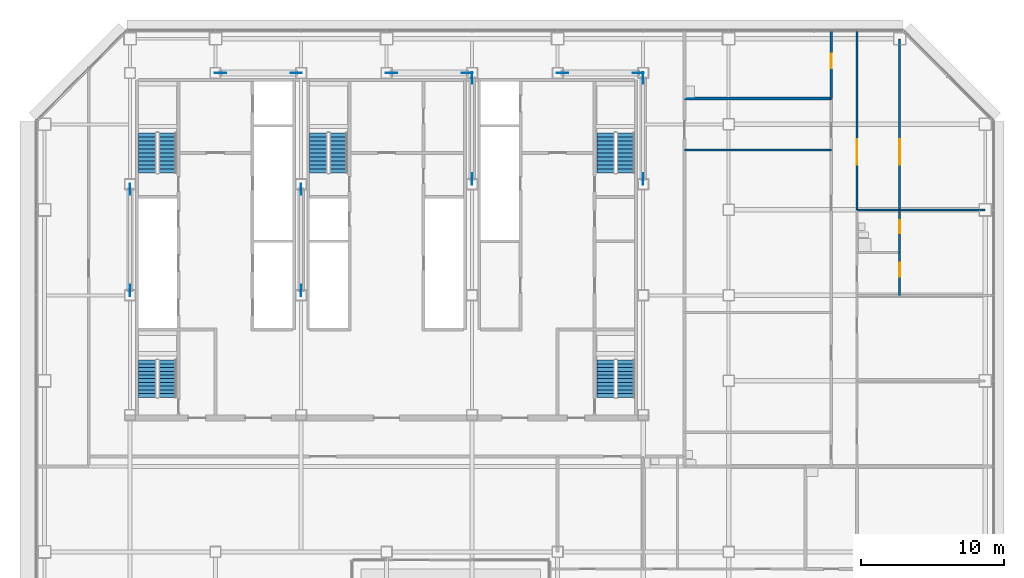
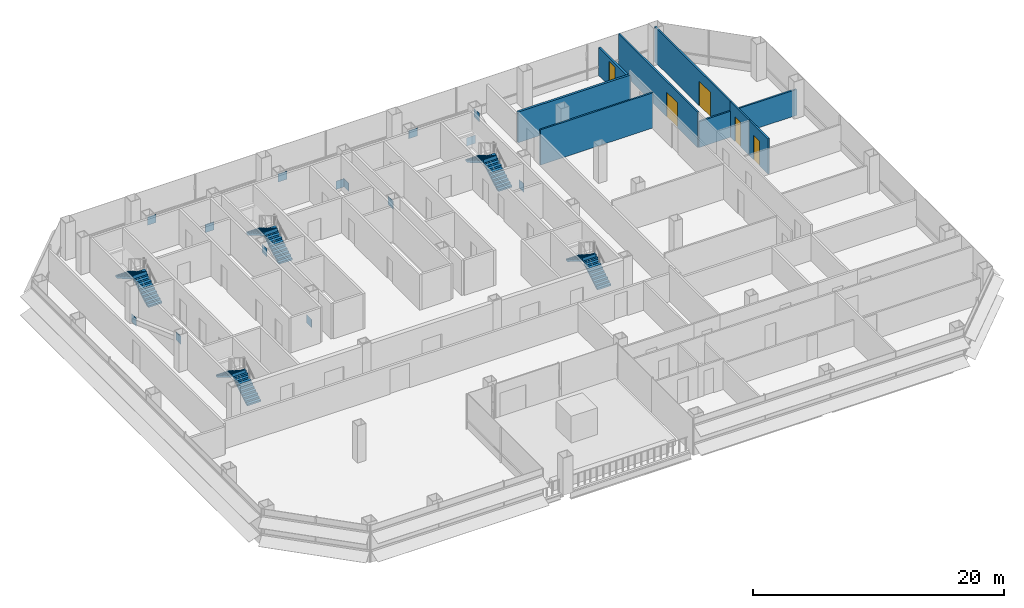
# One storey, part 23 of 27: 14 discrete accessories, 10 stair flights, 9 walls, 5 doors, 5 openings, 5 elements without a shape of their own.
"""IFC4 building model written with IfcOpenShell, lengths in metres."""

from ifc_helpers import new_model, si_unit, direction, frame, frame_2d, origin, origin_2d, place, context, subcontext, project, spatial, polyline, rectangle, outline, extrude, material, layer, layer_set, type_object, element, fill, aggregate, save


model = new_model("IFC4")

# Units and contexts
model_context = context("Model", 3, precision=1e-05, world=origin(), true_north=direction((0.0, 1.0)))
body_context = subcontext(model_context, "Body", "Model", "MODEL_VIEW")
ifc_project = project(units=[si_unit("LENGTHUNIT", "METRE"), si_unit("AREAUNIT", "SQUARE_METRE"), si_unit("VOLUMEUNIT", "CUBIC_METRE"), si_unit("PLANEANGLEUNIT", "RADIAN"), si_unit("MASSUNIT", "GRAM", prefix="KILO")], contexts=[model_context])

# Site, building, storey
site_placement = place(None, origin())
site = spatial("IfcSite", under=ifc_project, at=site_placement, CompositionType="ELEMENT")
building_placement = place(site_placement, origin())
building = spatial("IfcBuilding", under=site, at=building_placement, Name="Sorahane Residences", CompositionType="ELEMENT")
storey_placement = place(building_placement, frame((0.0, 0.0, 82.199951171875)))
storey = spatial("IfcBuildingStorey", under=building, at=storey_placement, Name="L17", CompositionType="ELEMENT", Elevation=82.199951171875)

# Wall, opening, door
ifc_material_1 = material(Name="Concrete blockwork C20 wall", Category="masonry")
ifc_layer_1 = layer(ifc_material_1, 0.199951171875)
ifc_layer_set_1 = layer_set([ifc_layer_1], Name="Kitchen wall 200 EI 180")
wall_type_1 = type_object("IfcWallType", Name="Kitchen wall 200 EI 180", PredefinedType="SOLIDWALL", material=ifc_layer_set_1)
wall_1_placement = place(storey_placement, frame((55.199951171875, 43.800048828125, 0.0), z_axis=(0.0, 0.0, 1.0), x_axis=(0.0, 1.0, 0.0)))
wall_1 = element("IfcWall", 1, at=wall_1_placement, inside=storey, type_object=wall_type_1, Name="L17 kitchen wall", PredefinedType="SOLIDWALL", context=body_context, shape_type="SweptSolid", body=[
    extrude(rectangle(XDim=4.800048828125, YDim=0.199951171875, at=frame_2d((2.39990234375, 0.0))), origin(), (0.0, 0.0, 1.0), 2.719970703125),
])
opening_1_placement = place(wall_1_placement, frame((2.139892578125, 0.0, 0.0)))
opening_1 = element("IfcOpeningElement", 2, at=opening_1_placement, cuts=wall_1, Name="Opening L17-17", PredefinedType="OPENING", context=body_context, shape_type="SweptSolid", body=[
    extrude(rectangle(XDim=1.0, YDim=2.39990234375, at=frame_2d((0.5, 1.199951171875))), frame((0.0, 0.10986328125, 0.0), z_axis=(0.0, -1.0, 0.0), x_axis=(1.0, 0.0, 0.0)), (0.0, 0.0, 1.0), 0.219970703125),
])
ifc_material_2 = material(Name="Steel", Category="steel")
door_type_1 = type_object("IfcDoorType", Name="Kitchen door 1000x2400 FD120", OperationType="NOTDEFINED", PredefinedType="DOOR", material=ifc_material_2)
door_1_placement = place(opening_1_placement, origin())
door_1 = element("IfcDoor", 3, at=door_1_placement, inside=storey, type_object=door_type_1, Name="Kitchen door L17-17", OperationType="SINGLE_SWING_LEFT", OverallHeight=2.39990234375, OverallWidth=1.0, PredefinedType="DOOR", context=body_context, shape_type="SweptSolid", body=[
    extrude(rectangle(XDim=1.0, YDim=2.39990234375, at=frame_2d((0.5, 1.199951171875))), frame((0.0, 0.02490234375, 0.0), z_axis=(0.0, -1.0, 0.0), x_axis=(1.0, 0.0, 0.0)), (0.0, 0.0, 1.0), 0.050048828125),
])
fill(opening_1, door_1)

# Wall
wall_2_placement = place(storey_placement, frame((44.89990234375, 43.800048828125, 0.0), z_axis=(0.0, 0.0, 1.0), x_axis=(1.0, 0.0, 0.0)))
element("IfcWall", 4, at=wall_2_placement, inside=storey, type_object=wall_type_1, Name="L17 kitchen wall", PredefinedType="SOLIDWALL", context=body_context, shape_type="SweptSolid", body=[
    extrude(rectangle(XDim=10.300048828125, YDim=0.199951171875, at=frame_2d((5.14990234375, 0.0))), origin(), (0.0, 0.0, 1.0), 2.969970703125),
])

# Wall, opening, door
ifc_material_3 = material(Name="Gypsum board partition on steel studs", Category="steel")
ifc_layer_2 = layer(ifc_material_3, 0.14990234375)
ifc_layer_set_2 = layer_set([ifc_layer_2], Name="Partition 150 EI 90")
wall_type_2 = type_object("IfcWallType", Name="Partition 150 EI 90", PredefinedType="PARTITIONING", material=ifc_layer_set_2)
wall_3_placement = place(storey_placement, frame((57.0, 36.0, 0.0), z_axis=(0.0, 0.0, 1.0), x_axis=(0.0, 1.0, 0.0)))
wall_3 = element("IfcWall", 5, at=wall_3_placement, inside=storey, type_object=wall_type_2, Name="L17 partition", PredefinedType="PARTITIONING", context=body_context, shape_type="SweptSolid", body=[
    extrude(rectangle(XDim=12.60009765625, YDim=0.14990234375, at=frame_2d((6.300048828125, 0.0))), origin(), (0.0, 0.0, 1.0), 3.420166015625),
])
opening_2_placement = place(wall_3_placement, frame((3.159912109375, 0.0, 0.0)))
opening_2 = element("IfcOpeningElement", 6, at=opening_2_placement, cuts=wall_3, Name="Opening L17-21", PredefinedType="OPENING", context=body_context, shape_type="SweptSolid", body=[
    extrude(rectangle(XDim=1.800048828125, YDim=2.39990234375, at=frame_2d((0.89990234375, 1.199951171875))), frame((0.0, 0.0849609375, 0.0), z_axis=(0.0, -1.0, 0.0), x_axis=(1.0, 0.0, 0.0)), (0.0, 0.0, 1.0), 0.169921875),
])
ifc_material_4 = material(Name="Timber veneered fire door", Category="wood")
door_type_2 = type_object("IfcDoorType", Name="Double door 1800x2400 FD30", OperationType="NOTDEFINED", PredefinedType="DOOR", material=ifc_material_4)
door_2_placement = place(opening_2_placement, frame((1.800048828125, 0.0, 0.0), z_axis=(0.0, 0.0, 1.0), x_axis=(-1.0, 0.0, 0.0)))
door_2 = element("IfcDoor", 7, at=door_2_placement, inside=storey, type_object=door_type_2, Name="Double door L17-21", OperationType="SINGLE_SWING_RIGHT", OverallHeight=2.39990234375, OverallWidth=1.800048828125, PredefinedType="DOOR", context=body_context, shape_type="SweptSolid", body=[
    extrude(rectangle(XDim=1.800048828125, YDim=2.39990234375, at=frame_2d((0.89990234375, 1.199951171875))), frame((0.0, 0.02490234375, 0.0), z_axis=(0.0, -1.0, 0.0), x_axis=(1.0, 0.0, 0.0)), (0.0, 0.0, 1.0), 0.050048828125),
])
fill(opening_2, door_2)

wall_4_placement = place(storey_placement, frame((60.0, 30.0, 0.0), z_axis=(0.0, 0.0, 1.0), x_axis=(0.0, 1.0, 0.0)))
wall_4 = element("IfcWall", 8, at=wall_4_placement, inside=storey, type_object=wall_type_2, Name="L17 partition", PredefinedType="PARTITIONING", context=body_context, shape_type="SweptSolid", body=[
    extrude(rectangle(XDim=3.0, YDim=0.14990234375, at=frame_2d((1.5, 0.0))), origin(), (0.0, 0.0, 1.0), 3.420166015625),
])
opening_3_placement = place(wall_4_placement, frame((1.300048828125, 0.0, 0.0)))
opening_3 = element("IfcOpeningElement", 9, at=opening_3_placement, cuts=wall_4, Name="Opening L17-22", PredefinedType="OPENING", context=body_context, shape_type="SweptSolid", body=[
    extrude(rectangle(XDim=1.0, YDim=2.39990234375, at=frame_2d((0.5, 1.199951171875))), frame((0.0, 0.0849609375, 0.0), z_axis=(0.0, -1.0, 0.0), x_axis=(1.0, 0.0, 0.0)), (0.0, 0.0, 1.0), 0.169921875),
])
ifc_material_5 = material(Name="Timber veneered fire door", Category="wood")
door_type_3 = type_object("IfcDoorType", Name="Room door 1000x2400 FD30", OperationType="NOTDEFINED", PredefinedType="DOOR", material=ifc_material_5)
door_3_placement = place(opening_3_placement, frame((1.0, 0.0, 0.0), z_axis=(0.0, 0.0, 1.0), x_axis=(-1.0, 0.0, 0.0)))
door_3 = element("IfcDoor", 10, at=door_3_placement, inside=storey, type_object=door_type_3, Name="Room door L17-22", OperationType="SINGLE_SWING_LEFT", OverallHeight=2.39990234375, OverallWidth=1.0, PredefinedType="DOOR", context=body_context, shape_type="SweptSolid", body=[
    extrude(rectangle(XDim=1.0, YDim=2.39990234375, at=frame_2d((0.5, 1.199951171875))), frame((0.0, 0.02490234375, 0.0), z_axis=(0.0, -1.0, 0.0), x_axis=(1.0, 0.0, 0.0)), (0.0, 0.0, 1.0), 0.050048828125),
])
fill(opening_3, door_3)

wall_5_placement = place(storey_placement, frame((60.0, 36.0, 0.0), z_axis=(0.0, 0.0, 1.0), x_axis=(0.0, 1.0, 0.0)))
wall_5 = element("IfcWall", 11, at=wall_5_placement, inside=storey, type_object=wall_type_2, Name="L17 partition", PredefinedType="PARTITIONING", context=body_context, shape_type="SweptSolid", body=[
    extrude(rectangle(XDim=12.0, YDim=0.14990234375, at=frame_2d((6.0, 0.0))), origin(), (0.0, 0.0, 1.0), 3.420166015625),
])
opening_4_placement = place(wall_5_placement, frame((3.159912109375, 0.0, 0.0)))
opening_4 = element("IfcOpeningElement", 12, at=opening_4_placement, cuts=wall_5, Name="Opening L17-24", PredefinedType="OPENING", context=body_context, shape_type="SweptSolid", body=[
    extrude(rectangle(XDim=1.800048828125, YDim=2.39990234375, at=frame_2d((0.89990234375, 1.199951171875))), frame((0.0, 0.0849609375, 0.0), z_axis=(0.0, -1.0, 0.0), x_axis=(1.0, 0.0, 0.0)), (0.0, 0.0, 1.0), 0.169921875),
])
door_4_placement = place(opening_4_placement, frame((1.800048828125, 0.0, 0.0), z_axis=(0.0, 0.0, 1.0), x_axis=(-1.0, 0.0, 0.0)))
door_4 = element("IfcDoor", 13, at=door_4_placement, inside=storey, type_object=door_type_2, Name="Double door L17-24", OperationType="SINGLE_SWING_LEFT", OverallHeight=2.39990234375, OverallWidth=1.800048828125, PredefinedType="DOOR", context=body_context, shape_type="SweptSolid", body=[
    extrude(rectangle(XDim=1.800048828125, YDim=2.39990234375, at=frame_2d((0.89990234375, 1.199951171875))), frame((0.0, 0.02490234375, 0.0), z_axis=(0.0, -1.0, 0.0), x_axis=(1.0, 0.0, 0.0)), (0.0, 0.0, 1.0), 0.050048828125),
])
fill(opening_4, door_4)

# Walls
wall_6_placement = place(storey_placement, frame((60.0, 36.0, 0.0), z_axis=(0.0, 0.0, 1.0), x_axis=(1.0, 0.0, 0.0)))
element("IfcWall", 14, at=wall_6_placement, inside=storey, type_object=wall_type_2, Name="L17 partition", PredefinedType="PARTITIONING", context=body_context, shape_type="SweptSolid", body=[
    extrude(rectangle(XDim=6.0, YDim=0.14990234375, at=frame_2d((3.0, 0.0))), origin(), (0.0, 0.0, 1.0), 2.52001953125),
])
wall_7_placement = place(storey_placement, frame((44.89990234375, 40.199951171875, 0.0), z_axis=(0.0, 0.0, 1.0), x_axis=(1.0, 0.0, 0.0)))
element("IfcWall", 15, at=wall_7_placement, inside=storey, type_object=wall_type_2, Name="L17 partition", PredefinedType="PARTITIONING", context=body_context, shape_type="SweptSolid", body=[
    extrude(rectangle(XDim=10.300048828125, YDim=0.14990234375, at=frame_2d((5.14990234375, 0.0))), origin(), (0.0, 0.0, 1.0), 3.420166015625),
])

# Wall, opening, door
ifc_material_6 = material(Name="Gypsum board partition on steel studs", Category="steel")
ifc_layer_3 = layer(ifc_material_6, 0.14990234375)
ifc_layer_set_3 = layer_set([ifc_layer_3], Name="Wet wall 150 EI 90")
wall_type_3 = type_object("IfcWallType", Name="Wet wall 150 EI 90", PredefinedType="PARTITIONING", material=ifc_layer_set_3)
wall_8_placement = place(storey_placement, frame((60.0, 33.0, 0.0), z_axis=(0.0, 0.0, 1.0), x_axis=(0.0, 1.0, 0.0)))
wall_8 = element("IfcWall", 16, at=wall_8_placement, inside=storey, type_object=wall_type_3, Name="L17 wet wall", PredefinedType="PARTITIONING", context=body_context, shape_type="SweptSolid", body=[
    extrude(rectangle(XDim=3.0, YDim=0.14990234375, at=frame_2d((1.5, 0.0))), origin(), (0.0, 0.0, 1.0), 3.420166015625),
])
opening_5_placement = place(wall_8_placement, frame((1.3701171875, 0.0, 0.0)))
opening_5 = element("IfcOpeningElement", 17, at=opening_5_placement, cuts=wall_8, Name="Opening L17-23", PredefinedType="OPENING", context=body_context, shape_type="SweptSolid", body=[
    extrude(rectangle(XDim=0.89990234375, YDim=2.39990234375, at=frame_2d((0.449951171875, 1.199951171875))), frame((0.0, 0.0849609375, 0.0), z_axis=(0.0, -1.0, 0.0), x_axis=(1.0, 0.0, 0.0)), (0.0, 0.0, 1.0), 0.169921875),
])
ifc_material_7 = material(Name="Timber veneered fire door", Category="wood")
door_type_4 = type_object("IfcDoorType", Name="Bathroom door 900x2400 FD30", OperationType="NOTDEFINED", PredefinedType="DOOR", material=ifc_material_7)
door_5_placement = place(opening_5_placement, frame((0.89990234375, 0.0, 0.0), z_axis=(0.0, 0.0, 1.0), x_axis=(-1.0, 0.0, 0.0)))
door_5 = element("IfcDoor", 18, at=door_5_placement, inside=storey, type_object=door_type_4, Name="Bathroom door L17-23", OperationType="SINGLE_SWING_RIGHT", OverallHeight=2.39990234375, OverallWidth=0.89990234375, PredefinedType="DOOR", context=body_context, shape_type="SweptSolid", body=[
    extrude(rectangle(XDim=0.89990234375, YDim=2.39990234375, at=frame_2d((0.449951171875, 1.199951171875))), frame((0.0, 0.02490234375, 0.0), z_axis=(0.0, -1.0, 0.0), x_axis=(1.0, 0.0, 0.0)), (0.0, 0.0, 1.0), 0.050048828125),
])
fill(opening_5, door_5)

# Wall
wall_9_placement = place(storey_placement, frame((57.0, 36.0, 0.0), z_axis=(0.0, 0.0, 1.0), x_axis=(1.0, 0.0, 0.0)))
element("IfcWall", 19, at=wall_9_placement, inside=storey, type_object=wall_type_3, Name="L17 wet wall", PredefinedType="PARTITIONING", context=body_context, shape_type="SweptSolid", body=[
    extrude(rectangle(XDim=3.0, YDim=0.14990234375, at=frame_2d((1.5, 0.0))), origin(), (0.0, 0.0, 1.0), 2.52001953125),
])

# Stair, stair flights
ifc_material_8 = material(Name="Concrete C40", Category="concrete")
stair_type = type_object("IfcStairType", Name="Dog-leg stair 1250 Concrete C40", PredefinedType="HALF_TURN_STAIR", material=ifc_material_8)
stair_1_placement = place(storey_placement, origin())
stair_1 = element("IfcStair", 20, at=stair_1_placement, inside=storey, type_object=stair_type, Name="L17 Stair S1", PredefinedType="HALF_TURN_STAIR")
ifc_material_9 = material(Name="Concrete C40", Category="concrete")
stair_flight_type = type_object("IfcStairFlightType", Name="Stair flight 1250 Concrete C40", PredefinedType="STRAIGHT", material=ifc_material_9)
stair_flight_1_placement = place(storey_placement, frame((8.625, 38.60009765625, 0.0), z_axis=(0.0, 0.0, 1.0), x_axis=(0.0, 1.0, 0.0)))
stair_flight_1 = element("IfcStairFlight", 21, at=stair_flight_1_placement, type_object=stair_flight_type, Name="S1 flight 1", NumberOfRisers=11, NumberOfTreads=10, PredefinedType="STRAIGHT", RiserHeight=0.163636364, TreadLength=0.28, context=body_context, shape_type="SweptSolid", body=[
    extrude(outline(polyline([(-0.00146484375, 0.0), (-0.00146484375, 0.16357421875), (0.0, 0.16357421875), (0.280029296875, 0.16357421875), (0.280029296875, 0.327392578125), (0.56005859375, 0.327392578125), (0.56005859375, 0.490966796875), (0.840087890625, 0.490966796875), (0.840087890625, 0.654541015625), (1.1201171875, 0.654541015625), (1.1201171875, 0.818115234375), (1.39990234375, 0.818115234375), (1.39990234375, 0.98193359375), (1.679931640625, 0.98193359375), (1.679931640625, 1.1455078125), (1.9599609375, 1.1455078125), (1.9599609375, 1.30908203125), (2.239990234375, 1.30908203125), (2.239990234375, 1.47265625), (2.52001953125, 1.47265625), (2.52001953125, 1.636474609375), (2.800048828125, 1.636474609375), (2.800048828125, 1.800048828125), (2.800048828125, 1.462646484375), (2.59130859375, 1.3408203125), (2.3828125, 1.218994140625), (2.17431640625, 1.09716796875), (1.965576171875, 0.97509765625), (1.757080078125, 0.853271484375), (1.548583984375, 0.7314453125), (1.340087890625, 0.609375), (1.13134765625, 0.487548828125), (0.9228515625, 0.36572265625), (0.71435546875, 0.243896484375), (0.505615234375, 0.121826171875), (0.297119140625, 0.0), (-0.00146484375, 0.0)])), frame((0.0, 0.625, 0.0), z_axis=(0.0, -1.0, 0.0), x_axis=(1.0, 0.0, 0.0)), (0.0, 0.0, 1.0), 1.25),
])
stair_flight_2_placement = place(storey_placement, frame((7.22509765625, 41.39990234375, 1.800048828125), z_axis=(0.0, 0.0, 1.0), x_axis=(0.0, -1.0, 0.0)))
stair_flight_2 = element("IfcStairFlight", 22, at=stair_flight_2_placement, type_object=stair_flight_type, Name="S1 flight 2", NumberOfRisers=11, NumberOfTreads=10, PredefinedType="STRAIGHT", RiserHeight=0.163636364, TreadLength=0.28, context=body_context, shape_type="SweptSolid", body=[
    extrude(outline(polyline([(0.0, 0.0), (0.0, 0.16357421875), (0.280029296875, 0.16357421875), (0.280029296875, 0.327392578125), (0.56005859375, 0.327392578125), (0.56005859375, 0.490966796875), (0.840087890625, 0.490966796875), (0.840087890625, 0.654541015625), (1.1201171875, 0.654541015625), (1.1201171875, 0.818115234375), (1.39990234375, 0.818115234375), (1.39990234375, 0.98193359375), (1.679931640625, 0.98193359375), (1.679931640625, 1.1455078125), (1.9599609375, 1.1455078125), (1.9599609375, 1.30908203125), (2.239990234375, 1.30908203125), (2.239990234375, 1.47265625), (2.52001953125, 1.47265625), (2.52001953125, 1.636474609375), (2.800048828125, 1.636474609375), (2.800048828125, 1.800048828125), (2.801513671875, 1.800048828125), (2.801513671875, 1.462646484375), (2.5927734375, 1.3408203125), (2.384033203125, 1.218994140625), (2.17529296875, 1.09716796875), (1.966796875, 0.97509765625), (1.758056640625, 0.853271484375), (1.54931640625, 0.7314453125), (1.340576171875, 0.609375), (1.1318359375, 0.487548828125), (0.923095703125, 0.36572265625), (0.714599609375, 0.243896484375), (0.505859375, 0.121826171875), (0.297119140625, 0.0), (0.0, 0.0)])), frame((0.0, 0.625, 0.0), z_axis=(0.0, -1.0, 0.0), x_axis=(1.0, 0.0, 0.0)), (0.0, 0.0, 1.0), 1.25),
])
aggregate(stair_1, [stair_flight_1, stair_flight_2])

stair_2_placement = place(storey_placement, origin())
stair_2 = element("IfcStair", 23, at=stair_2_placement, inside=storey, type_object=stair_type, Name="L17 Stair S2", PredefinedType="HALF_TURN_STAIR")
stair_flight_3_placement = place(storey_placement, frame((40.77490234375, 38.60009765625, 0.0), z_axis=(0.0, 0.0, 1.0), x_axis=(0.0, 1.0, 0.0)))
stair_flight_3 = element("IfcStairFlight", 24, at=stair_flight_3_placement, type_object=stair_flight_type, Name="S2 flight 1", NumberOfRisers=11, NumberOfTreads=10, PredefinedType="STRAIGHT", RiserHeight=0.163636364, TreadLength=0.28, context=body_context, shape_type="SweptSolid", body=[
    extrude(outline(polyline([(-0.00146484375, 0.0), (-0.00146484375, 0.16357421875), (0.0, 0.16357421875), (0.280029296875, 0.16357421875), (0.280029296875, 0.327392578125), (0.56005859375, 0.327392578125), (0.56005859375, 0.490966796875), (0.840087890625, 0.490966796875), (0.840087890625, 0.654541015625), (1.1201171875, 0.654541015625), (1.1201171875, 0.818115234375), (1.39990234375, 0.818115234375), (1.39990234375, 0.98193359375), (1.679931640625, 0.98193359375), (1.679931640625, 1.1455078125), (1.9599609375, 1.1455078125), (1.9599609375, 1.30908203125), (2.239990234375, 1.30908203125), (2.239990234375, 1.47265625), (2.52001953125, 1.47265625), (2.52001953125, 1.636474609375), (2.800048828125, 1.636474609375), (2.800048828125, 1.800048828125), (2.800048828125, 1.462646484375), (2.59130859375, 1.3408203125), (2.3828125, 1.218994140625), (2.17431640625, 1.09716796875), (1.965576171875, 0.97509765625), (1.757080078125, 0.853271484375), (1.548583984375, 0.7314453125), (1.340087890625, 0.609375), (1.13134765625, 0.487548828125), (0.9228515625, 0.36572265625), (0.71435546875, 0.243896484375), (0.505615234375, 0.121826171875), (0.297119140625, 0.0), (-0.00146484375, 0.0)])), frame((0.0, 0.625, 0.0), z_axis=(0.0, -1.0, 0.0), x_axis=(1.0, 0.0, 0.0)), (0.0, 0.0, 1.0), 1.25),
])
stair_flight_4_placement = place(storey_placement, frame((39.375, 41.39990234375, 1.800048828125), z_axis=(0.0, 0.0, 1.0), x_axis=(0.0, -1.0, 0.0)))
stair_flight_4 = element("IfcStairFlight", 25, at=stair_flight_4_placement, type_object=stair_flight_type, Name="S2 flight 2", NumberOfRisers=11, NumberOfTreads=10, PredefinedType="STRAIGHT", RiserHeight=0.163636364, TreadLength=0.28, context=body_context, shape_type="SweptSolid", body=[
    extrude(outline(polyline([(0.0, 0.0), (0.0, 0.16357421875), (0.280029296875, 0.16357421875), (0.280029296875, 0.327392578125), (0.56005859375, 0.327392578125), (0.56005859375, 0.490966796875), (0.840087890625, 0.490966796875), (0.840087890625, 0.654541015625), (1.1201171875, 0.654541015625), (1.1201171875, 0.818115234375), (1.39990234375, 0.818115234375), (1.39990234375, 0.98193359375), (1.679931640625, 0.98193359375), (1.679931640625, 1.1455078125), (1.9599609375, 1.1455078125), (1.9599609375, 1.30908203125), (2.239990234375, 1.30908203125), (2.239990234375, 1.47265625), (2.52001953125, 1.47265625), (2.52001953125, 1.636474609375), (2.800048828125, 1.636474609375), (2.800048828125, 1.800048828125), (2.801513671875, 1.800048828125), (2.801513671875, 1.462646484375), (2.5927734375, 1.3408203125), (2.384033203125, 1.218994140625), (2.17529296875, 1.09716796875), (1.966796875, 0.97509765625), (1.758056640625, 0.853271484375), (1.54931640625, 0.7314453125), (1.340576171875, 0.609375), (1.1318359375, 0.487548828125), (0.923095703125, 0.36572265625), (0.714599609375, 0.243896484375), (0.505859375, 0.121826171875), (0.297119140625, 0.0), (0.0, 0.0)])), frame((0.0, 0.625, 0.0), z_axis=(0.0, -1.0, 0.0), x_axis=(1.0, 0.0, 0.0)), (0.0, 0.0, 1.0), 1.25),
])
aggregate(stair_2, [stair_flight_3, stair_flight_4])

stair_3_placement = place(storey_placement, origin())
stair_3 = element("IfcStair", 26, at=stair_3_placement, inside=storey, type_object=stair_type, Name="L17 Stair S3", PredefinedType="HALF_TURN_STAIR")
stair_flight_5_placement = place(storey_placement, frame((20.625, 38.60009765625, 0.0), z_axis=(0.0, 0.0, 1.0), x_axis=(0.0, 1.0, 0.0)))
stair_flight_5 = element("IfcStairFlight", 27, at=stair_flight_5_placement, type_object=stair_flight_type, Name="S3 flight 1", NumberOfRisers=11, NumberOfTreads=10, PredefinedType="STRAIGHT", RiserHeight=0.163636364, TreadLength=0.28, context=body_context, shape_type="SweptSolid", body=[
    extrude(outline(polyline([(-0.00146484375, 0.0), (-0.00146484375, 0.16357421875), (0.0, 0.16357421875), (0.280029296875, 0.16357421875), (0.280029296875, 0.327392578125), (0.56005859375, 0.327392578125), (0.56005859375, 0.490966796875), (0.840087890625, 0.490966796875), (0.840087890625, 0.654541015625), (1.1201171875, 0.654541015625), (1.1201171875, 0.818115234375), (1.39990234375, 0.818115234375), (1.39990234375, 0.98193359375), (1.679931640625, 0.98193359375), (1.679931640625, 1.1455078125), (1.9599609375, 1.1455078125), (1.9599609375, 1.30908203125), (2.239990234375, 1.30908203125), (2.239990234375, 1.47265625), (2.52001953125, 1.47265625), (2.52001953125, 1.636474609375), (2.800048828125, 1.636474609375), (2.800048828125, 1.800048828125), (2.800048828125, 1.462646484375), (2.59130859375, 1.3408203125), (2.3828125, 1.218994140625), (2.17431640625, 1.09716796875), (1.965576171875, 0.97509765625), (1.757080078125, 0.853271484375), (1.548583984375, 0.7314453125), (1.340087890625, 0.609375), (1.13134765625, 0.487548828125), (0.9228515625, 0.36572265625), (0.71435546875, 0.243896484375), (0.505615234375, 0.121826171875), (0.297119140625, 0.0), (-0.00146484375, 0.0)])), frame((0.0, 0.625, 0.0), z_axis=(0.0, -1.0, 0.0), x_axis=(1.0, 0.0, 0.0)), (0.0, 0.0, 1.0), 1.25),
])
stair_flight_6_placement = place(storey_placement, frame((19.22509765625, 41.39990234375, 1.800048828125), z_axis=(0.0, 0.0, 1.0), x_axis=(0.0, -1.0, 0.0)))
stair_flight_6 = element("IfcStairFlight", 28, at=stair_flight_6_placement, type_object=stair_flight_type, Name="S3 flight 2", NumberOfRisers=11, NumberOfTreads=10, PredefinedType="STRAIGHT", RiserHeight=0.163636364, TreadLength=0.28, context=body_context, shape_type="SweptSolid", body=[
    extrude(outline(polyline([(0.0, 0.0), (0.0, 0.16357421875), (0.280029296875, 0.16357421875), (0.280029296875, 0.327392578125), (0.56005859375, 0.327392578125), (0.56005859375, 0.490966796875), (0.840087890625, 0.490966796875), (0.840087890625, 0.654541015625), (1.1201171875, 0.654541015625), (1.1201171875, 0.818115234375), (1.39990234375, 0.818115234375), (1.39990234375, 0.98193359375), (1.679931640625, 0.98193359375), (1.679931640625, 1.1455078125), (1.9599609375, 1.1455078125), (1.9599609375, 1.30908203125), (2.239990234375, 1.30908203125), (2.239990234375, 1.47265625), (2.52001953125, 1.47265625), (2.52001953125, 1.636474609375), (2.800048828125, 1.636474609375), (2.800048828125, 1.800048828125), (2.801513671875, 1.800048828125), (2.801513671875, 1.462646484375), (2.5927734375, 1.3408203125), (2.384033203125, 1.218994140625), (2.17529296875, 1.09716796875), (1.966796875, 0.97509765625), (1.758056640625, 0.853271484375), (1.54931640625, 0.7314453125), (1.340576171875, 0.609375), (1.1318359375, 0.487548828125), (0.923095703125, 0.36572265625), (0.714599609375, 0.243896484375), (0.505859375, 0.121826171875), (0.297119140625, 0.0), (0.0, 0.0)])), frame((0.0, 0.625, 0.0), z_axis=(0.0, -1.0, 0.0), x_axis=(1.0, 0.0, 0.0)), (0.0, 0.0, 1.0), 1.25),
])
aggregate(stair_3, [stair_flight_5, stair_flight_6])

stair_4_placement = place(storey_placement, origin())
stair_4 = element("IfcStair", 29, at=stair_4_placement, inside=storey, type_object=stair_type, Name="L17 Stair S4", PredefinedType="HALF_TURN_STAIR")
stair_flight_7_placement = place(storey_placement, frame((8.625, 22.85009765625, 0.0), z_axis=(0.0, 0.0, 1.0), x_axis=(0.0, 1.0, 0.0)))
stair_flight_7 = element("IfcStairFlight", 30, at=stair_flight_7_placement, type_object=stair_flight_type, Name="S4 flight 1", NumberOfRisers=11, NumberOfTreads=10, PredefinedType="STRAIGHT", RiserHeight=0.163636364, TreadLength=0.26, context=body_context, shape_type="SweptSolid", body=[
    extrude(outline(polyline([(-0.00146484375, 0.0), (-0.00146484375, 0.16357421875), (0.0, 0.16357421875), (0.260009765625, 0.16357421875), (0.260009765625, 0.327392578125), (0.52001953125, 0.327392578125), (0.52001953125, 0.490966796875), (0.780029296875, 0.490966796875), (0.780029296875, 0.654541015625), (1.0400390625, 0.654541015625), (1.0400390625, 0.818115234375), (1.300048828125, 0.818115234375), (1.300048828125, 0.98193359375), (1.56005859375, 0.98193359375), (1.56005859375, 1.1455078125), (1.820068359375, 1.1455078125), (1.820068359375, 1.30908203125), (2.080078125, 1.30908203125), (2.080078125, 1.47265625), (2.340087890625, 1.47265625), (2.340087890625, 1.636474609375), (2.60009765625, 1.636474609375), (2.60009765625, 1.800048828125), (2.60009765625, 1.494384765625), (2.402099609375, 1.369873046875), (2.204345703125, 1.245361328125), (2.00634765625, 1.120849609375), (1.80859375, 0.996337890625), (1.610595703125, 0.871826171875), (1.412841796875, 0.747314453125), (1.21484375, 0.622802734375), (1.01708984375, 0.498046875), (0.819091796875, 0.37353515625), (0.621337890625, 0.2490234375), (0.42333984375, 0.12451171875), (0.2255859375, 0.0), (-0.00146484375, 0.0)])), frame((0.0, 0.625, 0.0), z_axis=(0.0, -1.0, 0.0), x_axis=(1.0, 0.0, 0.0)), (0.0, 0.0, 1.0), 1.25),
])
stair_flight_8_placement = place(storey_placement, frame((7.22509765625, 25.449951171875, 1.800048828125), z_axis=(0.0, 0.0, 1.0), x_axis=(0.0, -1.0, 0.0)))
stair_flight_8 = element("IfcStairFlight", 31, at=stair_flight_8_placement, type_object=stair_flight_type, Name="S4 flight 2", NumberOfRisers=11, NumberOfTreads=10, PredefinedType="STRAIGHT", RiserHeight=0.163636364, TreadLength=0.26, context=body_context, shape_type="SweptSolid", body=[
    extrude(outline(polyline([(0.0, 0.0), (0.0, 0.16357421875), (0.260009765625, 0.16357421875), (0.260009765625, 0.327392578125), (0.52001953125, 0.327392578125), (0.52001953125, 0.490966796875), (0.780029296875, 0.490966796875), (0.780029296875, 0.654541015625), (1.0400390625, 0.654541015625), (1.0400390625, 0.818115234375), (1.300048828125, 0.818115234375), (1.300048828125, 0.98193359375), (1.56005859375, 0.98193359375), (1.56005859375, 1.1455078125), (1.820068359375, 1.1455078125), (1.820068359375, 1.30908203125), (2.080078125, 1.30908203125), (2.080078125, 1.47265625), (2.340087890625, 1.47265625), (2.340087890625, 1.636474609375), (2.60009765625, 1.636474609375), (2.60009765625, 1.800048828125), (2.6015625, 1.800048828125), (2.6015625, 1.494384765625), (2.403564453125, 1.369873046875), (2.20556640625, 1.245361328125), (2.007568359375, 1.120849609375), (1.8095703125, 0.996337890625), (1.611572265625, 0.871826171875), (1.41357421875, 0.747314453125), (1.215576171875, 0.622802734375), (1.017578125, 0.498046875), (0.819580078125, 0.37353515625), (0.62158203125, 0.2490234375), (0.423583984375, 0.12451171875), (0.2255859375, 0.0), (0.0, 0.0)])), frame((0.0, 0.625, 0.0), z_axis=(0.0, -1.0, 0.0), x_axis=(1.0, 0.0, 0.0)), (0.0, 0.0, 1.0), 1.25),
])
aggregate(stair_4, [stair_flight_7, stair_flight_8])

stair_5_placement = place(storey_placement, origin())
stair_5 = element("IfcStair", 32, at=stair_5_placement, inside=storey, type_object=stair_type, Name="L17 Stair S5", PredefinedType="HALF_TURN_STAIR")
stair_flight_9_placement = place(storey_placement, frame((40.77490234375, 22.85009765625, 0.0), z_axis=(0.0, 0.0, 1.0), x_axis=(0.0, 1.0, 0.0)))
stair_flight_9 = element("IfcStairFlight", 33, at=stair_flight_9_placement, type_object=stair_flight_type, Name="S5 flight 1", NumberOfRisers=11, NumberOfTreads=10, PredefinedType="STRAIGHT", RiserHeight=0.163636364, TreadLength=0.26, context=body_context, shape_type="SweptSolid", body=[
    extrude(outline(polyline([(-0.00146484375, 0.0), (-0.00146484375, 0.16357421875), (0.0, 0.16357421875), (0.260009765625, 0.16357421875), (0.260009765625, 0.327392578125), (0.52001953125, 0.327392578125), (0.52001953125, 0.490966796875), (0.780029296875, 0.490966796875), (0.780029296875, 0.654541015625), (1.0400390625, 0.654541015625), (1.0400390625, 0.818115234375), (1.300048828125, 0.818115234375), (1.300048828125, 0.98193359375), (1.56005859375, 0.98193359375), (1.56005859375, 1.1455078125), (1.820068359375, 1.1455078125), (1.820068359375, 1.30908203125), (2.080078125, 1.30908203125), (2.080078125, 1.47265625), (2.340087890625, 1.47265625), (2.340087890625, 1.636474609375), (2.60009765625, 1.636474609375), (2.60009765625, 1.800048828125), (2.60009765625, 1.494384765625), (2.402099609375, 1.369873046875), (2.204345703125, 1.245361328125), (2.00634765625, 1.120849609375), (1.80859375, 0.996337890625), (1.610595703125, 0.871826171875), (1.412841796875, 0.747314453125), (1.21484375, 0.622802734375), (1.01708984375, 0.498046875), (0.819091796875, 0.37353515625), (0.621337890625, 0.2490234375), (0.42333984375, 0.12451171875), (0.2255859375, 0.0), (-0.00146484375, 0.0)])), frame((0.0, 0.625, 0.0), z_axis=(0.0, -1.0, 0.0), x_axis=(1.0, 0.0, 0.0)), (0.0, 0.0, 1.0), 1.25),
])
stair_flight_10_placement = place(storey_placement, frame((39.375, 25.449951171875, 1.800048828125), z_axis=(0.0, 0.0, 1.0), x_axis=(0.0, -1.0, 0.0)))
stair_flight_10 = element("IfcStairFlight", 34, at=stair_flight_10_placement, type_object=stair_flight_type, Name="S5 flight 2", NumberOfRisers=11, NumberOfTreads=10, PredefinedType="STRAIGHT", RiserHeight=0.163636364, TreadLength=0.26, context=body_context, shape_type="SweptSolid", body=[
    extrude(outline(polyline([(0.0, 0.0), (0.0, 0.16357421875), (0.260009765625, 0.16357421875), (0.260009765625, 0.327392578125), (0.52001953125, 0.327392578125), (0.52001953125, 0.490966796875), (0.780029296875, 0.490966796875), (0.780029296875, 0.654541015625), (1.0400390625, 0.654541015625), (1.0400390625, 0.818115234375), (1.300048828125, 0.818115234375), (1.300048828125, 0.98193359375), (1.56005859375, 0.98193359375), (1.56005859375, 1.1455078125), (1.820068359375, 1.1455078125), (1.820068359375, 1.30908203125), (2.080078125, 1.30908203125), (2.080078125, 1.47265625), (2.340087890625, 1.47265625), (2.340087890625, 1.636474609375), (2.60009765625, 1.636474609375), (2.60009765625, 1.800048828125), (2.6015625, 1.800048828125), (2.6015625, 1.494384765625), (2.403564453125, 1.369873046875), (2.20556640625, 1.245361328125), (2.007568359375, 1.120849609375), (1.8095703125, 0.996337890625), (1.611572265625, 0.871826171875), (1.41357421875, 0.747314453125), (1.215576171875, 0.622802734375), (1.017578125, 0.498046875), (0.819580078125, 0.37353515625), (0.62158203125, 0.2490234375), (0.423583984375, 0.12451171875), (0.2255859375, 0.0), (0.0, 0.0)])), frame((0.0, 0.625, 0.0), z_axis=(0.0, -1.0, 0.0), x_axis=(1.0, 0.0, 0.0)), (0.0, 0.0, 1.0), 1.25),
])
aggregate(stair_5, [stair_flight_9, stair_flight_10])

# Discrete accessories
ifc_material_10 = material(Name="Steel Q355B", Category="steel")
ifc_layer_4 = layer(ifc_material_10, 0.02490234375)
ifc_layer_set_4 = layer_set([ifc_layer_4], Name="Node plate Steel Q355B 25")
discrete_accessory_type = type_object("IfcDiscreteAccessoryType", Name="Node plate Steel Q355B 25", PredefinedType="BRACKET", material=ifc_layer_set_4)
for number, where, z_axis, x_axis, name in (
    (35, (6.0, 37.44580078125, -0.19140625), (0.0, 0.0, 1.0), (0.0, 1.0, 0.0), "Node plate L17 br"),
    (36, (6.0, 30.354248046875, 2.361328125), (0.0, 0.0, 1.0), (0.0, 1.0, 0.0), "Node plate L17 br"),
    (37, (18.0, 30.354248046875, -0.19140625), (0.0, 0.0, 1.0), (0.0, 1.0, 0.0), "Node plate L17 br"),
    (38, (18.0, 37.44580078125, 2.361328125), (0.0, 0.0, 1.0), (0.0, 1.0, 0.0), "Node plate L17 br"),
    (39, (30.0, 45.24560546875, -0.19140625), (0.0, 0.0, 1.0), (0.0, 1.0, 0.0), "Node plate L17 br"),
    (40, (30.0, 38.154296875, 2.361328125), (0.0, 0.0, 1.0), (0.0, 1.0, 0.0), "Node plate L17 br"),
    (41, (42.0, 38.154296875, -0.19140625), (0.0, 0.0, 1.0), (0.0, 1.0, 0.0), "Node plate L17 br"),
    (42, (42.0, 45.24560546875, 2.361328125), (0.0, 0.0, 1.0), (0.0, 1.0, 0.0), "Node plate L17 br"),
    (43, (17.658935546875, 45.60009765625, -0.20361328125), (0.0, 0.0, 1.0), (1.0, 0.0, 0.0), "Node plate L17 br"),
    (44, (29.658935546875, 45.60009765625, -0.20361328125), (0.0, 0.0, 1.0), (1.0, 0.0, 0.0), "Node plate L17 br"),
    (45, (41.658935546875, 45.60009765625, -0.20361328125), (0.0, 0.0, 1.0), (1.0, 0.0, 0.0), "Node plate L17 br"),
    (46, (12.341064453125, 45.60009765625, 2.37353515625), (0.0, 0.0, 1.0), (1.0, 0.0, 0.0), "Node plate L17 br"),
    (47, (24.341064453125, 45.60009765625, 2.37353515625), (0.0, 0.0, 1.0), (1.0, 0.0, 0.0), "Node plate L17 br"),
    (48, (36.341064453125, 45.60009765625, 2.37353515625), (0.0, 0.0, 1.0), (1.0, 0.0, 0.0), "Node plate L17 br"),
):
    element("IfcDiscreteAccessory", number, at=place(storey_placement, frame(where, z_axis=z_axis, x_axis=x_axis)), inside=storey, type_object=discrete_accessory_type, Name=name, PredefinedType="BRACKET", context=body_context, shape_type="SweptSolid", body=[
        extrude(rectangle(XDim=0.800048828125, YDim=0.02490234375, at=origin_2d()), origin(), (0.0, 0.0, 1.0), 0.800048828125),
    ])

save(model, "model.ifc")
